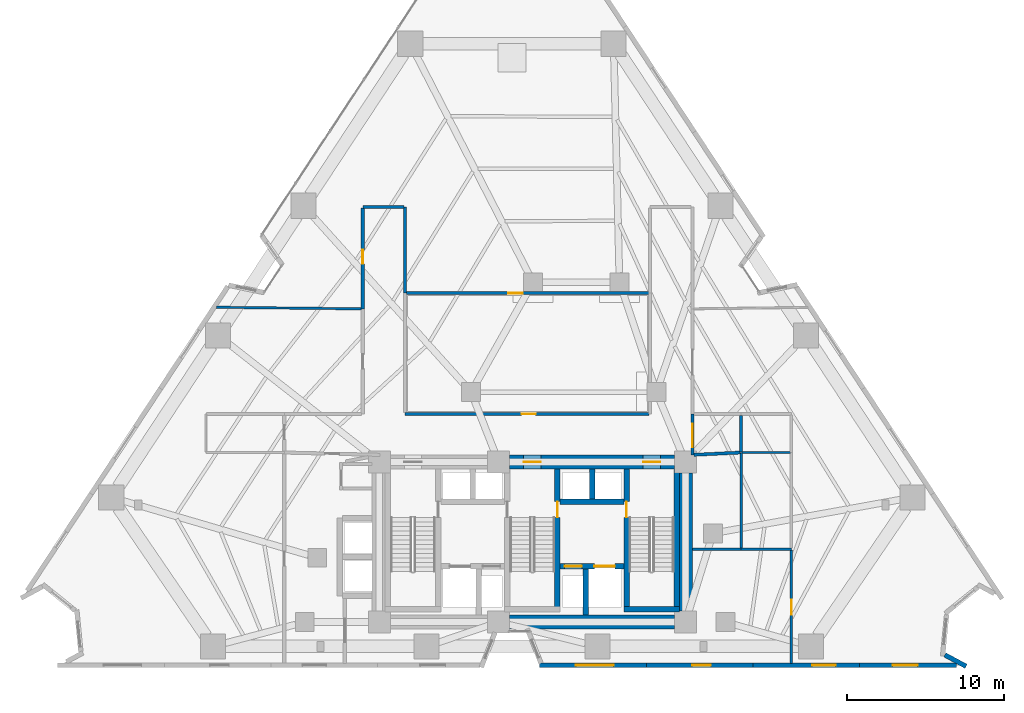
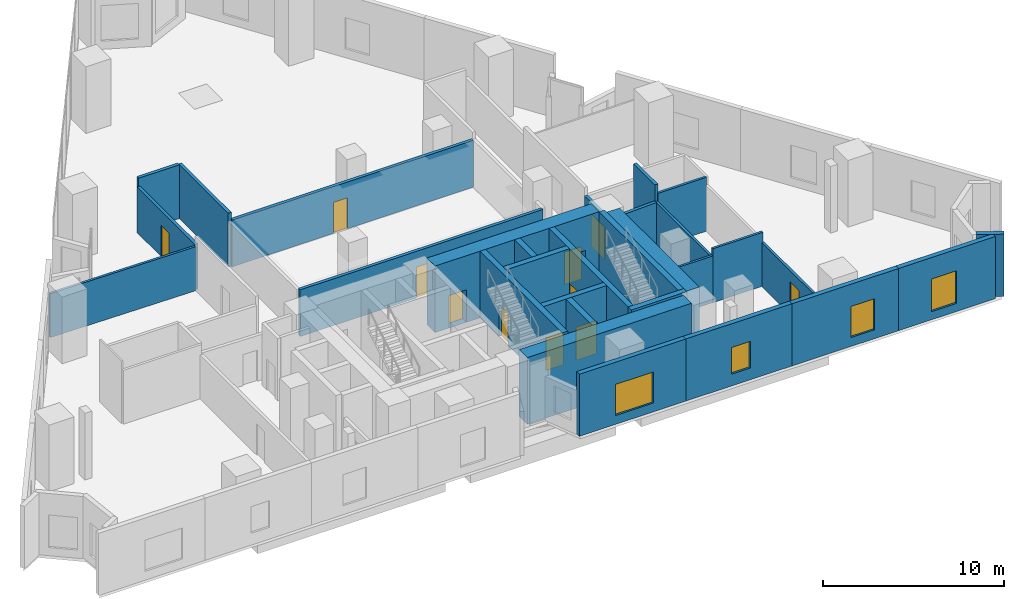
# One storey, part 8 of 12: 30 walls, 11 doors, 4 windows, 15 openings.
"""IFC4 building model written with IfcOpenShell, lengths in metres."""

from ifc_helpers import new_model, si_unit, direction, frame, frame_2d, origin, place, context, subcontext, project, spatial, rectangle, extrude, material, layer, layer_set, type_object, element, fill, save


model = new_model("IFC4")

# Units and contexts
model_context = context("Model", 3, precision=1e-05, world=origin(), true_north=direction((0.0, 1.0)))
body_context = subcontext(model_context, "Body", "Model", "MODEL_VIEW")
ifc_project = project(units=[si_unit("LENGTHUNIT", "METRE"), si_unit("AREAUNIT", "SQUARE_METRE"), si_unit("VOLUMEUNIT", "CUBIC_METRE"), si_unit("PLANEANGLEUNIT", "RADIAN"), si_unit("MASSUNIT", "GRAM", prefix="KILO")], contexts=[model_context])

# Site, building, storey
site_placement = place(None, origin())
site = spatial("IfcSite", under=ifc_project, at=site_placement, CompositionType="ELEMENT")
building_placement = place(site_placement, origin())
building = spatial("IfcBuilding", under=site, at=building_placement, Name="Almagre Mirador Tower", CompositionType="ELEMENT")
storey_placement = place(building_placement, frame((0.0, 0.0, 12.89990234375)))
storey = spatial("IfcBuildingStorey", under=building, at=storey_placement, Name="L02", CompositionType="ELEMENT", Elevation=12.89990234375)

# Wall
ifc_material_1 = material(Name="Precast concrete C50/60", Category="concrete")
ifc_layer_1 = layer(ifc_material_1, 0.300048828125)
ifc_layer_set_1 = layer_set([ifc_layer_1], Name="Precast concrete C50/60")
wall_type_1 = type_object("IfcWallType", Name="WAL-EXT-300", PredefinedType="SOLIDWALL", material=ifc_layer_set_1)
wall_1_placement = place(storey_placement, frame((63.576416015625, 2.459716796875, 0.0), z_axis=(0.0, 0.0, 1.0), x_axis=(0.88021477324, -0.474575550329, 0.0)))
element("IfcWall", 1, at=wall_1_placement, inside=storey, type_object=wall_type_1, Name="L02 expressed almagre precast frame wall 18", PredefinedType="SOLIDWALL", context=body_context, shape_type="SweptSolid", body=[
    extrude(rectangle(XDim=1.530029296875, YDim=0.300048828125, at=frame_2d((0.76513671875, 0.0))), origin(), (0.0, 0.0, 1.0), 4.2001953125),
])

# Wall, opening, window
wall_2_placement = place(storey_placement, frame((64.324951171875, 1.800048828125, 0.0), z_axis=(0.0, 0.0, 1.0), x_axis=(-1.0, 0.0, 0.0)))
wall_2 = element("IfcWall", 2, at=wall_2_placement, inside=storey, type_object=wall_type_1, Name="L02 expressed almagre precast frame wall 19", PredefinedType="SOLIDWALL", context=body_context, shape_type="SweptSolid", body=[
    extrude(rectangle(XDim=6.179931640625, YDim=0.300048828125, at=frame_2d((3.08984375, 0.0))), origin(), (0.0, 0.0, 1.0), 4.2001953125),
])
opening_1_placement = place(wall_2_placement, frame((2.485107421875, 0.0, 0.550048828125)))
opening_1 = element("IfcOpeningElement", 3, at=opening_1_placement, cuts=wall_2, Name="Opening WN-06", PredefinedType="OPENING", context=body_context, shape_type="SweptSolid", body=[
    extrude(rectangle(XDim=1.60009765625, YDim=2.199951171875, at=frame_2d((0.800048828125, 1.10009765625))), frame((0.0, 0.159902, 0.0), z_axis=(0.0, -1.0, 0.0), x_axis=(1.0, 0.0, 0.0)), (0.0, 0.0, 1.0), 0.320049),
])
ifc_material_2 = material(Name="Dark solar-control laminated hurricane glass", Category="glass")
window_type_1 = type_object("IfcWindowType", Name="WIN-1600X2200", PartitioningType="DOUBLE_PANEL_VERTICAL", PredefinedType="WINDOW", material=ifc_material_2)
window_1_placement = place(opening_1_placement, origin())
window_1 = element("IfcWindow", 4, at=window_1_placement, inside=storey, type_object=window_type_1, Name="L02 recessed hurricane window L02-EXH-5", OverallHeight=2.199951171875, OverallWidth=1.60009765625, PartitioningType="SINGLE_PANEL", PredefinedType="WINDOW", context=body_context, shape_type="SweptSolid", body=[
    extrude(rectangle(XDim=1.60009765625, YDim=2.199951171875, at=frame_2d((0.800048828125, 1.10009765625))), frame((0.0, 0.030029296875, 0.0), z_axis=(0.0, -1.0, 0.0), x_axis=(1.0, 0.0, 0.0)), (0.0, 0.0, 1.0), 0.06005859375),
])
fill(opening_1, window_1)

wall_3_placement = place(storey_placement, frame((58.14501953125, 1.800048828125, 0.0), z_axis=(0.0, 0.0, 1.0), x_axis=(-1.0, 0.0, 0.0)))
wall_3 = element("IfcWall", 5, at=wall_3_placement, inside=storey, type_object=wall_type_1, Name="L02 expressed almagre precast frame wall 20", PredefinedType="SOLIDWALL", context=body_context, shape_type="SweptSolid", body=[
    extrude(rectangle(XDim=6.794921875, YDim=0.300048828125, at=frame_2d((3.3974609375, 0.0))), origin(), (0.0, 0.0, 1.0), 4.2001953125),
])
opening_2_placement = place(wall_3_placement, frame((1.52490234375, 0.0, 0.60009765625)))
opening_2 = element("IfcOpeningElement", 6, at=opening_2_placement, cuts=wall_3, Name="Opening WN-03", PredefinedType="OPENING", context=body_context, shape_type="SweptSolid", body=[
    extrude(rectangle(XDim=1.5, YDim=2.10009765625, at=frame_2d((0.75, 1.050048828125))), frame((0.0, 0.159902, 0.0), z_axis=(0.0, -1.0, 0.0), x_axis=(1.0, 0.0, 0.0)), (0.0, 0.0, 1.0), 0.320049),
])
ifc_material_3 = material(Name="Dark solar-control laminated hurricane glass", Category="glass")
window_type_2 = type_object("IfcWindowType", Name="WIN-1500X2100", PartitioningType="DOUBLE_PANEL_VERTICAL", PredefinedType="WINDOW", material=ifc_material_3)
window_2_placement = place(opening_2_placement, origin())
window_2 = element("IfcWindow", 7, at=window_2_placement, inside=storey, type_object=window_type_2, Name="L02 recessed hurricane window L02-EXH-5", OverallHeight=2.10009765625, OverallWidth=1.5, PartitioningType="SINGLE_PANEL", PredefinedType="WINDOW", context=body_context, shape_type="SweptSolid", body=[
    extrude(rectangle(XDim=1.5, YDim=2.10009765625, at=frame_2d((0.75, 1.050048828125))), frame((0.0, 0.030029296875, 0.0), z_axis=(0.0, -1.0, 0.0), x_axis=(1.0, 0.0, 0.0)), (0.0, 0.0, 1.0), 0.06005859375),
])
fill(opening_2, window_2)

wall_4_placement = place(storey_placement, frame((51.35009765625, 1.800048828125, 0.0), z_axis=(0.0, 0.0, 1.0), x_axis=(-1.0, 0.0, 0.0)))
wall_4 = element("IfcWall", 8, at=wall_4_placement, inside=storey, type_object=wall_type_1, Name="L02 expressed almagre precast frame wall 21", PredefinedType="SOLIDWALL", context=body_context, shape_type="SweptSolid", body=[
    extrude(rectangle(XDim=6.795166015625, YDim=0.300048828125, at=frame_2d((3.3974609375, 0.0))), origin(), (0.0, 0.0, 1.0), 4.2001953125),
])
opening_3_placement = place(wall_4_placement, frame((2.675048828125, 0.0, 0.800048828125)))
opening_3 = element("IfcOpeningElement", 9, at=opening_3_placement, cuts=wall_4, Name="Opening WN-04", PredefinedType="OPENING", context=body_context, shape_type="SweptSolid", body=[
    extrude(rectangle(XDim=1.199951171875, YDim=1.800048828125, at=frame_2d((0.60009765625, 0.89990234375))), frame((0.0, 0.159902, 0.0), z_axis=(0.0, -1.0, 0.0), x_axis=(1.0, 0.0, 0.0)), (0.0, 0.0, 1.0), 0.320049),
])
ifc_material_4 = material(Name="Dark solar-control laminated hurricane glass", Category="glass")
window_type_3 = type_object("IfcWindowType", Name="WIN-1200X1800", PartitioningType="SINGLE_PANEL", PredefinedType="WINDOW", material=ifc_material_4)
window_3_placement = place(opening_3_placement, origin())
window_3 = element("IfcWindow", 10, at=window_3_placement, inside=storey, type_object=window_type_3, Name="L02 recessed hurricane window L02-AUD-2", OverallHeight=1.800048828125, OverallWidth=1.199951171875, PartitioningType="SINGLE_PANEL", PredefinedType="WINDOW", context=body_context, shape_type="SweptSolid", body=[
    extrude(rectangle(XDim=1.199951171875, YDim=1.800048828125, at=frame_2d((0.60009765625, 0.89990234375))), frame((0.0, 0.030029296875, 0.0), z_axis=(0.0, -1.0, 0.0), x_axis=(1.0, 0.0, 0.0)), (0.0, 0.0, 1.0), 0.06005859375),
])
fill(opening_3, window_3)

wall_5_placement = place(storey_placement, frame((44.554931640625, 1.800048828125, 0.0), z_axis=(0.0, 0.0, 1.0), x_axis=(-1.0, 0.0, 0.0)))
wall_5 = element("IfcWall", 11, at=wall_5_placement, inside=storey, type_object=wall_type_1, Name="L02 expressed almagre precast frame wall 22", PredefinedType="SOLIDWALL", context=body_context, shape_type="SweptSolid", body=[
    extrude(rectangle(XDim=6.794921875, YDim=0.300048828125, at=frame_2d((3.3974609375, 0.0))), origin(), (0.0, 0.0, 1.0), 4.2001953125),
])
opening_4_placement = place(wall_5_placement, frame((2.074951171875, 0.0, 0.60009765625)))
opening_4 = element("IfcOpeningElement", 12, at=opening_4_placement, cuts=wall_5, Name="Opening WN-02", PredefinedType="OPENING", context=body_context, shape_type="SweptSolid", body=[
    extrude(rectangle(XDim=2.39990234375, YDim=2.10009765625, at=frame_2d((1.199951171875, 1.050048828125))), frame((0.0, 0.159902, 0.0), z_axis=(0.0, -1.0, 0.0), x_axis=(1.0, 0.0, 0.0)), (0.0, 0.0, 1.0), 0.320049),
])
ifc_material_5 = material(Name="Dark solar-control laminated hurricane glass", Category="glass")
window_type_4 = type_object("IfcWindowType", Name="WIN-2400X2100", PartitioningType="TRIPLE_PANEL_VERTICAL", PredefinedType="WINDOW", material=ifc_material_5)
window_4_placement = place(opening_4_placement, origin())
window_4 = element("IfcWindow", 13, at=window_4_placement, inside=storey, type_object=window_type_4, Name="L02 recessed hurricane window L02-AUD-2", OverallHeight=2.10009765625, OverallWidth=2.39990234375, PartitioningType="SINGLE_PANEL", PredefinedType="WINDOW", context=body_context, shape_type="SweptSolid", body=[
    extrude(rectangle(XDim=2.39990234375, YDim=2.10009765625, at=frame_2d((1.199951171875, 1.050048828125))), frame((0.0, 0.030029296875, 0.0), z_axis=(0.0, -1.0, 0.0), x_axis=(1.0, 0.0, 0.0)), (0.0, 0.0, 1.0), 0.06005859375),
])
fill(opening_4, window_4)

# Walls
ifc_material_6 = material(Name="Gypsum acoustic stud partition", Category="other")
ifc_layer_2 = layer(ifc_material_6, 0.14990234375)
ifc_layer_set_2 = layer_set([ifc_layer_2], Name="Gypsum acoustic stud partition")
wall_type_2 = type_object("IfcWallType", Name="WAL-PRT-150-STD", PredefinedType="PARTITIONING", material=ifc_layer_set_2)
wall_6_placement = place(storey_placement, frame((50.60009765625, 9.199951171875, 0.0), z_axis=(0.0, 0.0, 1.0), x_axis=(-1.0, 0.0, 0.0)))
element("IfcWall", 14, at=wall_6_placement, inside=storey, type_object=wall_type_2, Name="L02 interior partition 017", PredefinedType="PARTITIONING", context=body_context, shape_type="SweptSolid", body=[
    extrude(rectangle(XDim=3.10009765625, YDim=0.14990234375, at=frame_2d((1.550048828125, 0.0))), origin(), (0.0, 0.0, 1.0), 3.1591796875),
])
wall_7_placement = place(storey_placement, frame((53.800048828125, 9.199951171875, 0.0), z_axis=(0.0, 0.0, 1.0), x_axis=(-1.0, 0.0, 0.0)))
element("IfcWall", 15, at=wall_7_placement, inside=storey, type_object=wall_type_2, Name="L02 interior partition 018", PredefinedType="PARTITIONING", context=body_context, shape_type="SweptSolid", body=[
    extrude(rectangle(XDim=3.199951171875, YDim=0.14990234375, at=frame_2d((1.60009765625, 0.0))), origin(), (0.0, 0.0, 1.0), 3.63720703125),
])

# Wall, opening, door
wall_8_placement = place(storey_placement, frame((53.800048828125, 1.89990234375, 0.0), z_axis=(0.0, 0.0, 1.0), x_axis=(0.0, 1.0, 0.0)))
wall_8 = element("IfcWall", 16, at=wall_8_placement, inside=storey, type_object=wall_type_2, Name="L02 interior partition 019", PredefinedType="PARTITIONING", context=body_context, shape_type="SweptSolid", body=[
    extrude(rectangle(XDim=7.239990234375, YDim=0.14990234375, at=frame_2d((3.6201171875, 0.0))), origin(), (0.0, 0.0, 1.0), 2.97021484375),
])
opening_5_placement = place(wall_8_placement, frame((3.125, 0.0, 0.0)))
opening_5 = element("IfcOpeningElement", 17, at=opening_5_placement, cuts=wall_8, Name="Opening UD-01", PredefinedType="OPENING", context=body_context, shape_type="SweptSolid", body=[
    extrude(rectangle(XDim=0.949951171875, YDim=2.199951171875, at=frame_2d((0.47509765625, 1.10009765625))), frame((0.0, 0.084951, 0.0), z_axis=(0.0, -1.0, 0.0), x_axis=(1.0, 0.0, 0.0)), (0.0, 0.0, 1.0), 0.169902),
])
ifc_material_7 = material(Name="Solid American walnut timber", Category="wood")
door_type_1 = type_object("IfcDoorType", Name="DOR-UNR-950X2200", OperationType="NOTDEFINED", PredefinedType="DOOR", material=ifc_material_7)
door_1_placement = place(opening_5_placement, origin())
door_1 = element("IfcDoor", 18, at=door_1_placement, inside=storey, type_object=door_type_1, Name="DR-0109 L02 interior door L02-AUD-2 to L02-EXH-5", OperationType="SINGLE_SWING_LEFT", OverallHeight=2.199951171875, OverallWidth=0.949951171875, PredefinedType="DOOR", context=body_context, shape_type="SweptSolid", body=[
    extrude(rectangle(XDim=0.949951171875, YDim=2.199951171875, at=frame_2d((0.47509765625, 1.10009765625))), frame((0.0, 0.02490234375, 0.0), z_axis=(0.0, -1.0, 0.0), x_axis=(1.0, 0.0, 0.0)), (0.0, 0.0, 1.0), 0.050048828125),
])
fill(opening_5, door_1)

# Walls
wall_9_placement = place(storey_placement, frame((50.60009765625, 9.260009765625, 0.0), z_axis=(0.0, 0.0, 1.0), x_axis=(0.0, 1.0, 0.0)))
element("IfcWall", 19, at=wall_9_placement, inside=storey, type_object=wall_type_2, Name="L02 interior partition 021", PredefinedType="PARTITIONING", context=body_context, shape_type="SweptSolid", body=[
    extrude(rectangle(XDim=6.090087890625, YDim=0.14990234375, at=frame_2d((3.044921875, 0.0))), origin(), (0.0, 0.0, 1.0), 3.078125),
])
wall_10_placement = place(storey_placement, frame((53.739990234375, 15.35009765625, 0.0), z_axis=(0.0, 0.0, 1.0), x_axis=(-1.0, 0.0, 0.0)))
element("IfcWall", 20, at=wall_10_placement, inside=storey, type_object=wall_type_2, Name="L02 interior partition 024", PredefinedType="PARTITIONING", context=body_context, shape_type="SweptSolid", body=[
    extrude(rectangle(XDim=3.080078125, YDim=0.14990234375, at=frame_2d((1.5400390625, 0.0))), origin(), (0.0, 0.0, 1.0), 3.63720703125),
])
wall_11_placement = place(storey_placement, frame((26.4150390625, 24.500732421875, 0.0), z_axis=(0.0, 0.0, 1.0), x_axis=(-0.999939992275, 0.010954991996, 0.0)))
element("IfcWall", 21, at=wall_11_placement, inside=storey, type_object=wall_type_2, Name="L02 interior partition 028", PredefinedType="PARTITIONING", context=body_context, shape_type="SweptSolid", body=[
    extrude(rectangle(XDim=9.24853515625, YDim=0.14990234375, at=frame_2d((4.624267578125, 0.0))), origin(), (0.0, 0.0, 1.0), 2.97021484375),
])

# Wall, opening, door
ifc_material_8 = material(Name="Gypsum acoustic stud partition", Category="other")
ifc_layer_3 = layer(ifc_material_8, 0.199951171875)
ifc_layer_set_3 = layer_set([ifc_layer_3], Name="Gypsum acoustic stud partition")
wall_type_3 = type_object("IfcWallType", Name="WAL-PRT-200-EI60", PredefinedType="PARTITIONING", material=ifc_layer_set_3)
wall_12_placement = place(storey_placement, frame((47.5, 15.199951171875, 0.0), z_axis=(0.0, 0.0, 1.0), x_axis=(0.0, 1.0, 0.0)))
wall_12 = element("IfcWall", 22, at=wall_12_placement, inside=storey, type_object=wall_type_3, Name="L02 interior partition 006", PredefinedType="PARTITIONING", context=body_context, shape_type="SweptSolid", body=[
    extrude(rectangle(XDim=2.60009765625, YDim=0.199951171875, at=frame_2d((1.300048828125, 0.0))), origin(), (0.0, 0.0, 1.0), 3.078125),
])
opening_6_placement = place(wall_12_placement, frame((0.491455078125, 0.0, 0.0)))
opening_6 = element("IfcOpeningElement", 23, at=opening_6_placement, cuts=wall_12, Name="Opening ID-04", PredefinedType="OPENING", context=body_context, shape_type="SweptSolid", body=[
    extrude(rectangle(XDim=1.5, YDim=2.199951171875, at=frame_2d((0.75, 1.10009765625))), frame((0.0, 0.110098, 0.0), z_axis=(0.0, -1.0, 0.0), x_axis=(1.0, 0.0, 0.0)), (0.0, 0.0, 1.0), 0.219951),
])
ifc_material_9 = material(Name="Fire-rated hollow steel", Category="steel")
door_type_2 = type_object("IfcDoorType", Name="DOR-FD60-1500X2200", OperationType="DOUBLE_DOOR_SINGLE_SWING", PredefinedType="DOOR", material=ifc_material_9)
door_2_placement = place(opening_6_placement, origin())
door_2 = element("IfcDoor", 24, at=door_2_placement, inside=storey, type_object=door_type_2, Name="DR-0103 L02 interior door L02-COR to L02-GRN-7", OperationType="DOUBLE_DOOR_SINGLE_SWING", OverallHeight=2.199951171875, OverallWidth=1.5, PredefinedType="DOOR", context=body_context, shape_type="SweptSolid", body=[
    extrude(rectangle(XDim=1.5, YDim=2.199951171875, at=frame_2d((0.75, 1.10009765625))), frame((0.0, 0.02490234375, 0.0), z_axis=(0.0, -1.0, 0.0), x_axis=(1.0, 0.0, 0.0)), (0.0, 0.0, 1.0), 0.050048828125),
])
fill(opening_6, door_2)

wall_13_placement = place(storey_placement, frame((44.715087890625, 17.800048828125, 0.0), z_axis=(0.0, 0.0, 1.0), x_axis=(-1.0, 0.0, 0.0)))
wall_13 = element("IfcWall", 25, at=wall_13_placement, inside=storey, type_object=wall_type_3, Name="L02 interior partition 008", PredefinedType="PARTITIONING", context=body_context, shape_type="SweptSolid", body=[
    extrude(rectangle(XDim=15.51513671875, YDim=0.199951171875, at=frame_2d((7.757568359375, 0.0))), origin(), (0.0, 0.0, 1.0), 3.1591796875),
])
opening_7_placement = place(wall_13_placement, frame((7.205322265625, 0.0, 0.0)))
opening_7 = element("IfcOpeningElement", 26, at=opening_7_placement, cuts=wall_13, Name="Opening ID-03", PredefinedType="OPENING", context=body_context, shape_type="SweptSolid", body=[
    extrude(rectangle(XDim=0.89990234375, YDim=2.10009765625, at=frame_2d((0.449951171875, 1.050048828125))), frame((0.0, 0.110098, 0.0), z_axis=(0.0, -1.0, 0.0), x_axis=(1.0, 0.0, 0.0)), (0.0, 0.0, 1.0), 0.219951),
])
ifc_material_10 = material(Name="Fire-rated hollow steel", Category="steel")
door_type_3 = type_object("IfcDoorType", Name="DOR-FD60-900X2100", OperationType="NOTDEFINED", PredefinedType="DOOR", material=ifc_material_10)
door_3_placement = place(opening_7_placement, origin())
door_3 = element("IfcDoor", 27, at=door_3_placement, inside=storey, type_object=door_type_3, Name="DR-0102 L02 interior door L02-COR to L02-FOY-9", OperationType="SINGLE_SWING_RIGHT", OverallHeight=2.10009765625, OverallWidth=0.89990234375, PredefinedType="DOOR", context=body_context, shape_type="SweptSolid", body=[
    extrude(rectangle(XDim=0.89990234375, YDim=2.10009765625, at=frame_2d((0.449951171875, 1.050048828125))), frame((0.0, 0.02490234375, 0.0), z_axis=(0.0, -1.0, 0.0), x_axis=(1.0, 0.0, 0.0)), (0.0, 0.0, 1.0), 0.050048828125),
])
fill(opening_7, door_3)

# Walls
wall_14_placement = place(storey_placement, frame((29.199951171875, 25.5, 0.0), z_axis=(0.0, 0.0, 1.0), x_axis=(0.0, 1.0, 0.0)))
element("IfcWall", 28, at=wall_14_placement, inside=storey, type_object=wall_type_3, Name="L02 interior partition 010", PredefinedType="PARTITIONING", context=body_context, shape_type="SweptSolid", body=[
    extrude(rectangle(XDim=5.5, YDim=0.199951171875, at=frame_2d((2.75, 0.0))), origin(), (0.0, 0.0, 1.0), 3.63720703125),
])
wall_15_placement = place(storey_placement, frame((29.114990234375, 31.0, 0.0), z_axis=(0.0, 0.0, 1.0), x_axis=(-1.0, 0.0, 0.0)))
element("IfcWall", 29, at=wall_15_placement, inside=storey, type_object=wall_type_3, Name="L02 interior partition 011", PredefinedType="PARTITIONING", context=body_context, shape_type="SweptSolid", body=[
    extrude(rectangle(XDim=2.614990234375, YDim=0.199951171875, at=frame_2d((1.3076171875, 0.0))), origin(), (0.0, 0.0, 1.0), 3.63720703125),
])

# Wall, opening, door
wall_16_placement = place(storey_placement, frame((26.5, 30.9150390625, 0.0), z_axis=(0.0, 0.0, 1.0), x_axis=(0.0, -1.0, 0.0)))
wall_16 = element("IfcWall", 30, at=wall_16_placement, inside=storey, type_object=wall_type_3, Name="L02 interior partition 012", PredefinedType="PARTITIONING", context=body_context, shape_type="SweptSolid", body=[
    extrude(rectangle(XDim=6.4150390625, YDim=0.199951171875, at=frame_2d((3.20751953125, 0.0))), origin(), (0.0, 0.0, 1.0), 3.078125),
])
opening_8_placement = place(wall_16_placement, frame((2.656005859375, 0.0, 0.0)))
opening_8 = element("IfcOpeningElement", 31, at=opening_8_placement, cuts=wall_16, Name="Opening ID-03", PredefinedType="OPENING", context=body_context, shape_type="SweptSolid", body=[
    extrude(rectangle(XDim=0.89990234375, YDim=2.10009765625, at=frame_2d((0.449951171875, 1.050048828125))), frame((0.0, 0.110098, 0.0), z_axis=(0.0, -1.0, 0.0), x_axis=(1.0, 0.0, 0.0)), (0.0, 0.0, 1.0), 0.219951),
])
door_4_placement = place(opening_8_placement, origin())
door_4 = element("IfcDoor", 32, at=door_4_placement, inside=storey, type_object=door_type_3, Name="DR-0104 L02 interior door L02-COR to L02-TRN-10", OperationType="SINGLE_SWING_RIGHT", OverallHeight=2.10009765625, OverallWidth=0.89990234375, PredefinedType="DOOR", context=body_context, shape_type="SweptSolid", body=[
    extrude(rectangle(XDim=0.89990234375, YDim=2.10009765625, at=frame_2d((0.449951171875, 1.050048828125))), frame((0.0, 0.02490234375, 0.0), z_axis=(0.0, -1.0, 0.0), x_axis=(1.0, 0.0, 0.0)), (0.0, 0.0, 1.0), 0.050048828125),
])
fill(opening_8, door_4)

# Walls
wall_17_placement = place(storey_placement, frame((50.5400390625, 15.34716796875, 0.0), z_axis=(0.0, 0.0, 1.0), x_axis=(-0.998830110694, -0.048357108796, 0.0)))
element("IfcWall", 33, at=wall_17_placement, inside=storey, type_object=wall_type_3, Name="L02 interior partition 022", PredefinedType="PARTITIONING", context=body_context, shape_type="SweptSolid", body=[
    extrude(rectangle(XDim=2.95849609375, YDim=0.199951171875, at=frame_2d((1.479248046875, 0.0))), origin(), (0.0, 0.0, 1.0), 3.078125),
])
wall_18_placement = place(storey_placement, frame((50.60009765625, 15.375, 0.0), z_axis=(0.0, 0.0, 1.0), x_axis=(0.0, 1.0, 0.0)))
element("IfcWall", 34, at=wall_18_placement, inside=storey, type_object=wall_type_3, Name="L02 interior partition 033", PredefinedType="PARTITIONING", context=body_context, shape_type="SweptSolid", body=[
    extrude(rectangle(XDim=2.340087890625, YDim=0.199951171875, at=frame_2d((1.169921875, 0.0))), origin(), (0.0, 0.0, 1.0), 4.2001953125),
])

# Wall, opening, door
wall_19_placement = place(storey_placement, frame((44.715087890625, 25.5, 0.0), z_axis=(0.0, 0.0, 1.0), x_axis=(-1.0, 0.0, 0.0)))
wall_19 = element("IfcWall", 35, at=wall_19_placement, inside=storey, type_object=wall_type_3, Name="L02 interior partition 034", PredefinedType="PARTITIONING", context=body_context, shape_type="SweptSolid", body=[
    extrude(rectangle(XDim=15.43017578125, YDim=0.199951171875, at=frame_2d((7.715087890625, 0.0))), origin(), (0.0, 0.0, 1.0), 3.1591796875),
])
opening_9_placement = place(wall_19_placement, frame((8.03955078125, 0.0, 0.0)))
opening_9 = element("IfcOpeningElement", 36, at=opening_9_placement, cuts=wall_19, Name="Opening ID-03", PredefinedType="OPENING", context=body_context, shape_type="SweptSolid", body=[
    extrude(rectangle(XDim=0.89990234375, YDim=2.10009765625, at=frame_2d((0.449951171875, 1.050048828125))), frame((0.0, 0.110098, 0.0), z_axis=(0.0, -1.0, 0.0), x_axis=(1.0, 0.0, 0.0)), (0.0, 0.0, 1.0), 0.219951),
])
door_5_placement = place(opening_9_placement, origin())
door_5 = element("IfcDoor", 37, at=door_5_placement, inside=storey, type_object=door_type_3, Name="DR-0108 L02 interior door L02-FOY-9 to L02-TRN-10", OperationType="SINGLE_SWING_RIGHT", OverallHeight=2.10009765625, OverallWidth=0.89990234375, PredefinedType="DOOR", context=body_context, shape_type="SweptSolid", body=[
    extrude(rectangle(XDim=0.89990234375, YDim=2.10009765625, at=frame_2d((0.449951171875, 1.050048828125))), frame((0.0, 0.02490234375, 0.0), z_axis=(0.0, -1.0, 0.0), x_axis=(1.0, 0.0, 0.0)), (0.0, 0.0, 1.0), 0.050048828125),
])
fill(opening_9, door_5)

ifc_material_11 = material(Name="Concrete C60/75", Category="concrete")
ifc_layer_4 = layer(ifc_material_11, 0.35009765625)
ifc_layer_set_4 = layer_set([ifc_layer_4], Name="Concrete C60/75")
wall_type_4 = type_object("IfcWallType", Name="WAL-SHF-350", PredefinedType="SOLIDWALL", material=ifc_layer_set_4)
wall_20_placement = place(storey_placement, frame((38.89990234375, 5.199951171875, 0.0), z_axis=(0.0, 0.0, 1.0), x_axis=(0.0, 1.0, 0.0)))
wall_20 = element("IfcWall", 38, at=wall_20_placement, inside=storey, type_object=wall_type_4, Name="L02 shaft wall ST2-E", PredefinedType="SOLIDWALL", context=body_context, shape_type="SweptSolid", body=[
    extrude(rectangle(XDim=9.10009765625, YDim=0.35009765625, at=frame_2d((4.550048828125, 0.0))), origin(), (0.0, 0.0, 1.0), 4.5),
])
opening_10_placement = place(wall_20_placement, frame((6.02001953125, 0.0, 0.0)))
opening_10 = element("IfcOpeningElement", 39, at=opening_10_placement, cuts=wall_20, Name="Opening FD-01", PredefinedType="OPENING", context=body_context, shape_type="SweptSolid", body=[
    extrude(rectangle(XDim=1.0, YDim=2.14990234375, at=frame_2d((0.5, 1.074951171875))), frame((0.0, 0.185049, 0.0), z_axis=(0.0, -1.0, 0.0), x_axis=(1.0, 0.0, 0.0)), (0.0, 0.0, 1.0), 0.370098),
])
ifc_material_12 = material(Name="Fire-rated hollow steel", Category="steel")
door_type_4 = type_object("IfcDoorType", Name="DOR-FFL-1000X2150", OperationType="NOTDEFINED", PredefinedType="DOOR", material=ifc_material_12)
door_6_placement = place(opening_10_placement, origin())
door_6 = element("IfcDoor", 40, at=door_6_placement, inside=storey, type_object=door_type_4, Name="DR-0097 L02 FFL2-ST2 smokeproof door", OperationType="SINGLE_SWING_RIGHT", OverallHeight=2.14990234375, OverallWidth=1.0, PredefinedType="DOOR", context=body_context, shape_type="SweptSolid", body=[
    extrude(rectangle(XDim=1.0, YDim=2.14990234375, at=frame_2d((0.5, 1.074951171875))), frame((0.0, 0.02490234375, 0.0), z_axis=(0.0, -1.0, 0.0), x_axis=(1.0, 0.0, 0.0)), (0.0, 0.0, 1.0), 0.050048828125),
])
fill(opening_10, door_6)

wall_21_placement = place(storey_placement, frame((43.300048828125, 5.199951171875, 0.0), z_axis=(0.0, 0.0, 1.0), x_axis=(0.0, 1.0, 0.0)))
wall_21 = element("IfcWall", 41, at=wall_21_placement, inside=storey, type_object=wall_type_4, Name="L02 shaft wall ST3-W", PredefinedType="SOLIDWALL", context=body_context, shape_type="SweptSolid", body=[
    extrude(rectangle(XDim=9.10009765625, YDim=0.35009765625, at=frame_2d((4.550048828125, 0.0))), origin(), (0.0, 0.0, 1.0), 4.5),
])
opening_11_placement = place(wall_21_placement, frame((6.02001953125, 0.0, 0.0)))
opening_11 = element("IfcOpeningElement", 42, at=opening_11_placement, cuts=wall_21, Name="Opening FD-01", PredefinedType="OPENING", context=body_context, shape_type="SweptSolid", body=[
    extrude(rectangle(XDim=1.0, YDim=2.14990234375, at=frame_2d((0.5, 1.074951171875))), frame((0.0, 0.185049, 0.0), z_axis=(0.0, -1.0, 0.0), x_axis=(1.0, 0.0, 0.0)), (0.0, 0.0, 1.0), 0.370098),
])
door_7_placement = place(opening_11_placement, origin())
door_7 = element("IfcDoor", 43, at=door_7_placement, inside=storey, type_object=door_type_4, Name="DR-0098 L02 FFL2-ST3 smokeproof door", OperationType="SINGLE_SWING_LEFT", OverallHeight=2.14990234375, OverallWidth=1.0, PredefinedType="DOOR", context=body_context, shape_type="SweptSolid", body=[
    extrude(rectangle(XDim=1.0, YDim=2.14990234375, at=frame_2d((0.5, 1.074951171875))), frame((0.0, 0.02490234375, 0.0), z_axis=(0.0, -1.0, 0.0), x_axis=(1.0, 0.0, 0.0)), (0.0, 0.0, 1.0), 0.050048828125),
])
fill(opening_11, door_7)

# Walls
wall_22_placement = place(storey_placement, frame((46.5, 5.199951171875, 0.0), z_axis=(0.0, 0.0, 1.0), x_axis=(0.0, 1.0, 0.0)))
element("IfcWall", 44, at=wall_22_placement, inside=storey, type_object=wall_type_4, Name="L02 shaft wall ST3-E", PredefinedType="SOLIDWALL", context=body_context, shape_type="SweptSolid", body=[
    extrude(rectangle(XDim=9.10009765625, YDim=0.35009765625, at=frame_2d((4.550048828125, 0.0))), origin(), (0.0, 0.0, 1.0), 4.5),
])
wall_23_placement = place(storey_placement, frame((43.125, 5.375, 0.0), z_axis=(0.0, 0.0, 1.0), x_axis=(1.0, 0.0, 0.0)))
element("IfcWall", 45, at=wall_23_placement, inside=storey, type_object=wall_type_4, Name="L02 shaft wall ST3-S", PredefinedType="SOLIDWALL", context=body_context, shape_type="SweptSolid", body=[
    extrude(rectangle(XDim=3.550048828125, YDim=0.35009765625, at=frame_2d((1.77490234375, 0.0))), origin(), (0.0, 0.0, 1.0), 4.5),
])

# Wall, openings, doors
wall_24_placement = place(storey_placement, frame((39.074951171875, 8.10009765625, 0.0), z_axis=(0.0, 0.0, 1.0), x_axis=(1.0, 0.0, 0.0)))
wall_24 = element("IfcWall", 46, at=wall_24_placement, inside=storey, type_object=wall_type_4, Name="L02 shaft wall FSAE2-N", PredefinedType="SOLIDWALL", context=body_context, shape_type="SweptSolid", body=[
    extrude(rectangle(XDim=4.050048828125, YDim=0.35009765625, at=frame_2d((2.02490234375, 0.0))), origin(), (0.0, 0.0, 1.0), 4.5),
])
opening_12_placement = place(wall_24_placement, frame((2.175048828125, 0.0, 0.0)))
opening_12 = element("IfcOpeningElement", 47, at=opening_12_placement, cuts=wall_24, Name="Opening LD-03", PredefinedType="OPENING", context=body_context, shape_type="SweptSolid", body=[
    extrude(rectangle(XDim=1.300048828125, YDim=2.25, at=frame_2d((0.64990234375, 1.125))), frame((0.0, 0.185049, 0.0), z_axis=(0.0, -1.0, 0.0), x_axis=(1.0, 0.0, 0.0)), (0.0, 0.0, 1.0), 0.370098),
])
opening_13_placement = place(wall_24_placement, frame((0.27490234375, 0.0, 0.0)))
opening_13 = element("IfcOpeningElement", 48, at=opening_13_placement, cuts=wall_24, Name="Opening LD-01", PredefinedType="OPENING", context=body_context, shape_type="SweptSolid", body=[
    extrude(rectangle(XDim=1.10009765625, YDim=2.199951171875, at=frame_2d((0.550048828125, 1.10009765625))), frame((0.0, 0.185049, 0.0), z_axis=(0.0, -1.0, 0.0), x_axis=(1.0, 0.0, 0.0)), (0.0, 0.0, 1.0), 0.370098),
])
ifc_material_13 = material(Name="Hollow stainless steel", Category="steel")
door_type_5 = type_object("IfcDoorType", Name="DOR-LD-1100X2200", OperationType="DOUBLE_DOOR_SLIDING", PredefinedType="DOOR", material=ifc_material_13)
door_8_placement = place(opening_13_placement, origin())
door_8 = element("IfcDoor", 49, at=door_8_placement, inside=storey, type_object=door_type_5, Name="DR-0113 L02 PL-L2 lift landing door", OperationType="DOUBLE_DOOR_SLIDING", OverallHeight=2.199951171875, OverallWidth=1.10009765625, PredefinedType="DOOR", context=body_context, shape_type="SweptSolid", body=[
    extrude(rectangle(XDim=1.10009765625, YDim=2.199951171875, at=frame_2d((0.550048828125, 1.10009765625))), frame((0.0, 0.02490234375, 0.0), z_axis=(0.0, -1.0, 0.0), x_axis=(1.0, 0.0, 0.0)), (0.0, 0.0, 1.0), 0.050048828125),
])
fill(opening_13, door_8)
ifc_material_14 = material(Name="Hollow stainless steel", Category="steel")
door_type_6 = type_object("IfcDoorType", Name="DOR-LD-1300X2250", OperationType="DOUBLE_DOOR_SLIDING", PredefinedType="DOOR", material=ifc_material_14)
door_9_placement = place(opening_12_placement, origin())
door_9 = element("IfcDoor", 50, at=door_9_placement, inside=storey, type_object=door_type_6, Name="DR-0111 L02 FSAE-2 lift landing door", OperationType="DOUBLE_DOOR_SLIDING", OverallHeight=2.25, OverallWidth=1.300048828125, PredefinedType="DOOR", context=body_context, shape_type="SweptSolid", body=[
    extrude(rectangle(XDim=1.300048828125, YDim=2.25, at=frame_2d((0.64990234375, 1.125))), frame((0.0, 0.02490234375, 0.0), z_axis=(0.0, -1.0, 0.0), x_axis=(1.0, 0.0, 0.0)), (0.0, 0.0, 1.0), 0.050048828125),
])
fill(opening_12, door_9)

# Walls
wall_25_placement = place(storey_placement, frame((40.699951171875, 5.0, 0.0), z_axis=(0.0, 0.0, 1.0), x_axis=(0.0, 1.0, 0.0)))
element("IfcWall", 51, at=wall_25_placement, inside=storey, type_object=wall_type_4, Name="L02 shaft wall FSAE2-W", PredefinedType="SOLIDWALL", context=body_context, shape_type="SweptSolid", body=[
    extrude(rectangle(XDim=2.925048828125, YDim=0.35009765625, at=frame_2d((1.46240234375, 0.0))), origin(), (0.0, 0.0, 1.0), 4.5),
])
wall_26_placement = place(storey_placement, frame((39.074951171875, 12.199951171875, 0.0), z_axis=(0.0, 0.0, 1.0), x_axis=(1.0, 0.0, 0.0)))
element("IfcWall", 52, at=wall_26_placement, inside=storey, type_object=wall_type_4, Name="L02 shaft wall PLH-S", PredefinedType="SOLIDWALL", context=body_context, shape_type="SweptSolid", body=[
    extrude(rectangle(XDim=4.050048828125, YDim=0.35009765625, at=frame_2d((2.02490234375, 0.0))), origin(), (0.0, 0.0, 1.0), 4.5),
])
wall_27_placement = place(storey_placement, frame((41.10009765625, 12.375, 0.0), z_axis=(0.0, 0.0, 1.0), x_axis=(0.0, 1.0, 0.0)))
element("IfcWall", 53, at=wall_27_placement, inside=storey, type_object=wall_type_4, Name="L02 shaft wall PLH-M", PredefinedType="SOLIDWALL", context=body_context, shape_type="SweptSolid", body=[
    extrude(rectangle(XDim=1.925048828125, YDim=0.35009765625, at=frame_2d((0.96240234375, 0.0))), origin(), (0.0, 0.0, 1.0), 4.5),
])
ifc_material_15 = material(Name="Concrete C70/85", Category="concrete")
ifc_layer_5 = layer(ifc_material_15, 0.89990234375)
ifc_layer_set_5 = layer_set([ifc_layer_5], Name="Concrete C70/85")
wall_type_5 = type_object("IfcWallType", Name="WAL-SHR-900", PredefinedType="SHEAR", material=ifc_layer_set_5)
wall_28_placement = place(storey_placement, frame((35.85009765625, 4.550048828125, 0.0), z_axis=(0.0, 0.0, 1.0), x_axis=(1.0, 0.0, 0.0)))
element("IfcWall", 54, at=wall_28_placement, inside=storey, type_object=wall_type_5, Name="L02 core shear wall S2", PredefinedType="SHEAR", context=body_context, shape_type="SweptSolid", body=[
    extrude(rectangle(XDim=10.5, YDim=0.89990234375, at=frame_2d((5.25, 0.0))), origin(), (0.0, 0.0, 1.0), 4.5),
])

# Wall, openings, doors
wall_29_placement = place(storey_placement, frame((35.85009765625, 14.75, 0.0), z_axis=(0.0, 0.0, 1.0), x_axis=(1.0, 0.0, 0.0)))
wall_29 = element("IfcWall", 55, at=wall_29_placement, inside=storey, type_object=wall_type_5, Name="L02 core shear wall N2", PredefinedType="SHEAR", context=body_context, shape_type="SweptSolid", body=[
    extrude(rectangle(XDim=10.5, YDim=0.89990234375, at=frame_2d((5.25, 0.0))), origin(), (0.0, 0.0, 1.0), 4.5),
])
opening_14_placement = place(wall_29_placement, frame((0.89990234375, 0.0, 0.0)))
opening_14 = element("IfcOpeningElement", 56, at=opening_14_placement, cuts=wall_29, Name="Opening SD-02", PredefinedType="OPENING", context=body_context, shape_type="SweptSolid", body=[
    extrude(rectangle(XDim=1.10009765625, YDim=2.199951171875, at=frame_2d((0.550048828125, 1.10009765625))), frame((0.0, 0.459951, 0.0), z_axis=(0.0, -1.0, 0.0), x_axis=(1.0, 0.0, 0.0)), (0.0, 0.0, 1.0), 0.919902),
])
opening_15_placement = place(wall_29_placement, frame((8.5, 0.0, 0.0)))
opening_15 = element("IfcOpeningElement", 57, at=opening_15_placement, cuts=wall_29, Name="Opening SD-02", PredefinedType="OPENING", context=body_context, shape_type="SweptSolid", body=[
    extrude(rectangle(XDim=1.10009765625, YDim=2.199951171875, at=frame_2d((0.550048828125, 1.10009765625))), frame((0.0, 0.459951, 0.0), z_axis=(0.0, -1.0, 0.0), x_axis=(1.0, 0.0, 0.0)), (0.0, 0.0, 1.0), 0.919902),
])
ifc_material_16 = material(Name="Fire-rated hollow steel", Category="steel")
door_type_7 = type_object("IfcDoorType", Name="DOR-ST-1100X2200", OperationType="NOTDEFINED", PredefinedType="DOOR", material=ifc_material_16)
door_10_placement = place(opening_14_placement, origin())
door_10 = element("IfcDoor", 58, at=door_10_placement, inside=storey, type_object=door_type_7, Name="DR-0115 L02 protected exit stair ST-2 door", OperationType="SINGLE_SWING_RIGHT", OverallHeight=2.199951171875, OverallWidth=1.10009765625, PredefinedType="DOOR", context=body_context, shape_type="SweptSolid", body=[
    extrude(rectangle(XDim=1.10009765625, YDim=2.199951171875, at=frame_2d((0.550048828125, 1.10009765625))), frame((0.0, 0.02490234375, 0.0), z_axis=(0.0, -1.0, 0.0), x_axis=(1.0, 0.0, 0.0)), (0.0, 0.0, 1.0), 0.050048828125),
])
fill(opening_14, door_10)
door_11_placement = place(opening_15_placement, origin())
door_11 = element("IfcDoor", 59, at=door_11_placement, inside=storey, type_object=door_type_7, Name="DR-0116 L02 protected exit stair ST-3 door", OperationType="SINGLE_SWING_LEFT", OverallHeight=2.199951171875, OverallWidth=1.10009765625, PredefinedType="DOOR", context=body_context, shape_type="SweptSolid", body=[
    extrude(rectangle(XDim=1.10009765625, YDim=2.199951171875, at=frame_2d((0.550048828125, 1.10009765625))), frame((0.0, 0.02490234375, 0.0), z_axis=(0.0, -1.0, 0.0), x_axis=(1.0, 0.0, 0.0)), (0.0, 0.0, 1.0), 0.050048828125),
])
fill(opening_15, door_11)

# Wall
wall_30_placement = place(storey_placement, frame((47.050048828125, 5.25, 0.0), z_axis=(0.0, 0.0, 1.0), x_axis=(0.0, 1.0, 0.0)))
element("IfcWall", 60, at=wall_30_placement, inside=storey, type_object=wall_type_5, Name="L02 core shear wall E1", PredefinedType="SHEAR", context=body_context, shape_type="SweptSolid", body=[
    extrude(rectangle(XDim=8.800048828125, YDim=0.89990234375, at=frame_2d((4.39990234375, 0.0))), origin(), (0.0, 0.0, 1.0), 4.5),
])

save(model, "model.ifc")
